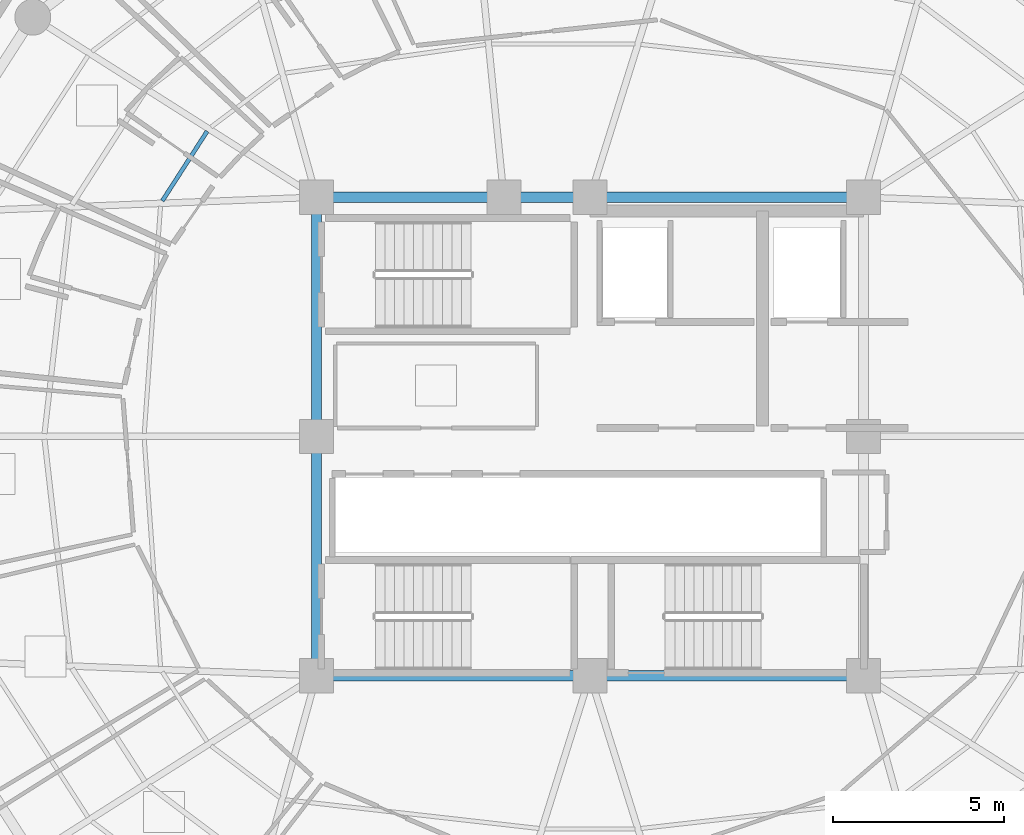
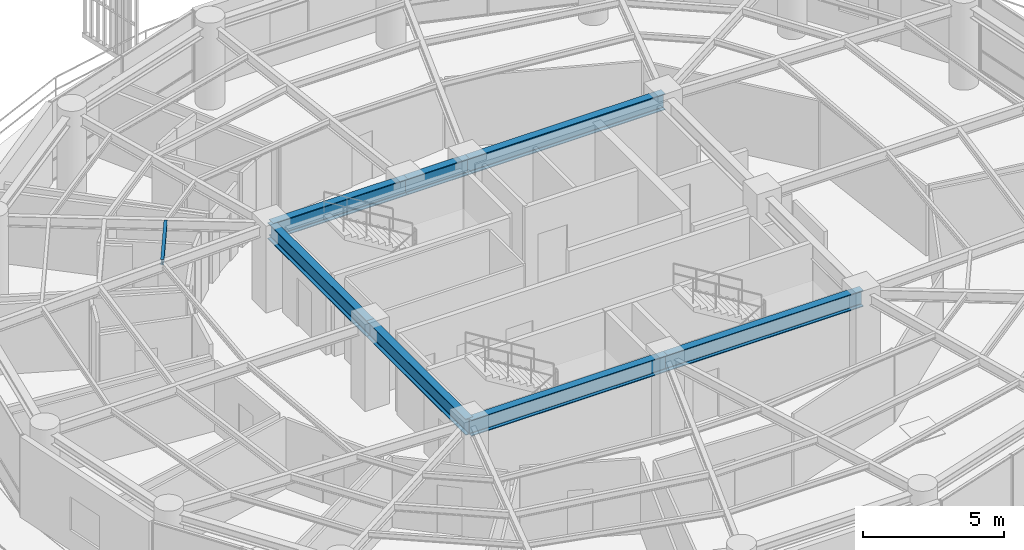
# One storey, part 9 of 31: 8 beams.
"""IFC4 building model written with IfcOpenShell, lengths in metres."""

from ifc_helpers import new_model, si_unit, direction, frame, origin, origin_2d, place, context, subcontext, project, spatial, i_section, extrude, material, material_profile, profile_set, type_object, element, save


model = new_model("IFC4")

# Units and contexts
model_context = context("Model", 3, precision=1e-05, world=origin(), true_north=direction((0.0, 1.0)))
body_context = subcontext(model_context, "Body", "Model", "MODEL_VIEW")
ifc_project = project(units=[si_unit("LENGTHUNIT", "METRE"), si_unit("AREAUNIT", "SQUARE_METRE"), si_unit("VOLUMEUNIT", "CUBIC_METRE"), si_unit("PLANEANGLEUNIT", "RADIAN"), si_unit("MASSUNIT", "GRAM", prefix="KILO")], contexts=[model_context])

# Site, building, storey
site_placement = place(None, origin())
site = spatial("IfcSite", under=ifc_project, at=site_placement, CompositionType="ELEMENT")
building_placement = place(site_placement, origin())
building = spatial("IfcBuilding", under=site, at=building_placement, Name="Kelanora Arch Commons", CompositionType="ELEMENT")
storey_placement = place(building_placement, frame((0.0, 0.0, 219.449951171875)))
storey = spatial("IfcBuildingStorey", under=building, at=storey_placement, Name="L56", CompositionType="ELEMENT", Elevation=219.449951171875)

# Beams
ifc_material = material(Name="Steel S355", Category="steel")
ifc_material_profile_1 = material_profile(ifc_material, i_section(OverallWidth=0.300048828125, OverallDepth=0.699951171875, WebThickness=0.01708984375, FlangeThickness=0.031982421875, FilletRadius=0.027099609375, at=origin_2d()), Name="HEB700")
ifc_profile_set_1 = profile_set([ifc_material_profile_1], Name="Steel S355")
beam_type_1 = type_object("IfcBeamType", Name="BM-CORE-HDR", PredefinedType="BEAM", material=ifc_profile_set_1)
for number, where, z_axis, x_axis, name in (
    (1, (66.0, 51.0, 3.14013671875), (1.0, 0.0, 0.0), (0.0, 1.0, 0.0), "Core Header Beam 01 L56"),
    (2, (74.0, 51.0, 3.14013671875), (1.0, 0.0, 0.0), (0.0, 1.0, 0.0), "Core Header Beam 02 L56"),
    (3, (82.0, 65.0, 3.14013671875), (-1.0, 0.0, 0.0), (0.0, -1.0, 0.0), "Core Header Beam 05 L56"),
):
    element("IfcBeam", number, at=place(storey_placement, frame(where, z_axis=z_axis, x_axis=x_axis)), inside=storey, type_object=beam_type_1, Name=name, PredefinedType="BEAM", context=body_context, shape_type="SweptSolid", body=[
        extrude(i_section(OverallWidth=0.300048828125, OverallDepth=0.699951171875, WebThickness=0.01708984375, FlangeThickness=0.031982421875, FilletRadius=0.027099609375, at=origin_2d()), origin(), (0.0, 0.0, 1.0), 8.0),
    ])
beam_1_placement = place(storey_placement, frame((74.0, 65.0, 3.14013671875), z_axis=(-1.0, 0.0, 0.0), x_axis=(0.0, -1.0, 0.0)))
element("IfcBeam", 4, at=beam_1_placement, inside=storey, type_object=beam_type_1, Name="Core Header Beam 06 L56", PredefinedType="BEAM", context=body_context, shape_type="SweptSolid", body=[
    extrude(i_section(OverallWidth=0.300048828125, OverallDepth=0.699951171875, WebThickness=0.01708984375, FlangeThickness=0.031982421875, FilletRadius=0.027099609375, at=origin_2d()), origin(), (0.0, 0.0, 1.0), 2.52001953125),
])
beam_2_placement = place(storey_placement, frame((71.47998046875, 65.0, 3.14013671875), z_axis=(-1.0, 0.0, 0.0), x_axis=(0.0, -1.0, 0.0)))
element("IfcBeam", 5, at=beam_2_placement, inside=storey, type_object=beam_type_1, Name="Core Header Beam 07 L56", PredefinedType="BEAM", context=body_context, shape_type="SweptSolid", body=[
    extrude(i_section(OverallWidth=0.300048828125, OverallDepth=0.699951171875, WebThickness=0.01708984375, FlangeThickness=0.031982421875, FilletRadius=0.027099609375, at=origin_2d()), origin(), (0.0, 0.0, 1.0), 5.47998046875),
])
for number, where, z_axis, x_axis, name in (
    (6, (66.0, 65.0, 3.14013671875), (0.0, -1.0, 0.0), (1.0, 0.0, 0.0), "Core Header Beam 08 L56"),
    (7, (66.0, 58.0, 3.14013671875), (0.0, -1.0, 0.0), (1.0, 0.0, 0.0), "Core Header Beam 09 L56"),
):
    element("IfcBeam", number, at=place(storey_placement, frame(where, z_axis=z_axis, x_axis=x_axis)), inside=storey, type_object=beam_type_1, Name=name, PredefinedType="BEAM", context=body_context, shape_type="SweptSolid", body=[
        extrude(i_section(OverallWidth=0.300048828125, OverallDepth=0.699951171875, WebThickness=0.01708984375, FlangeThickness=0.031982421875, FilletRadius=0.027099609375, at=origin_2d()), origin(), (0.0, 0.0, 1.0), 7.0),
    ])
ifc_material_profile_2 = material_profile(ifc_material, i_section(OverallWidth=0.1201171875, OverallDepth=0.239990234375, WebThickness=0.006103515625, FlangeThickness=0.009765625, FilletRadius=0.014892578125, at=origin_2d()), Name="IPE240")
ifc_profile_set_2 = profile_set([ifc_material_profile_2], Name="Steel S355")
beam_type_2 = type_object("IfcBeamType", Name="BM-JST-02", PredefinedType="JOIST", material=ifc_profile_set_2)
beam_3_placement = place(storey_placement, frame((62.79931640625, 66.928955078125, 3.3701171875), z_axis=(-0.541332763503, -0.840808443796, 0.0), x_axis=(0.840808443796, -0.541332763503, 0.0)))
element("IfcBeam", 8, at=beam_3_placement, inside=storey, type_object=beam_type_2, Name="Secondary Chord Joist BJA-14 L56", PredefinedType="JOIST", context=body_context, shape_type="SweptSolid", body=[
    extrude(i_section(OverallWidth=0.1201171875, OverallDepth=0.239990234375, WebThickness=0.006103515625, FlangeThickness=0.009765625, FilletRadius=0.014892578125, at=origin_2d()), origin(), (0.0, 0.0, 1.0), 2.423583984375),
])

save(model, "model.ifc")
